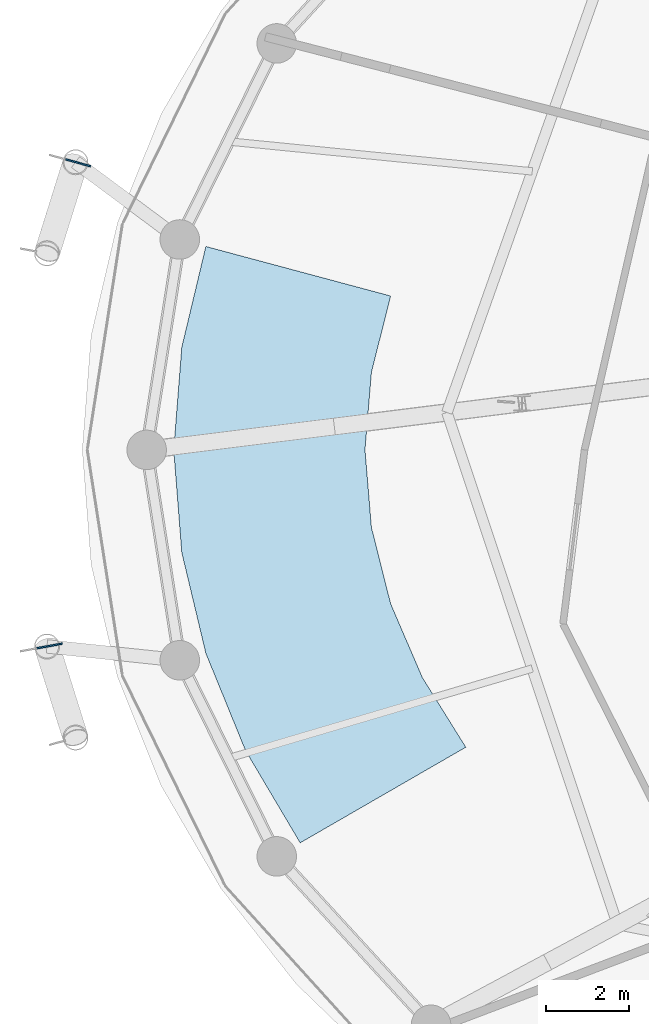
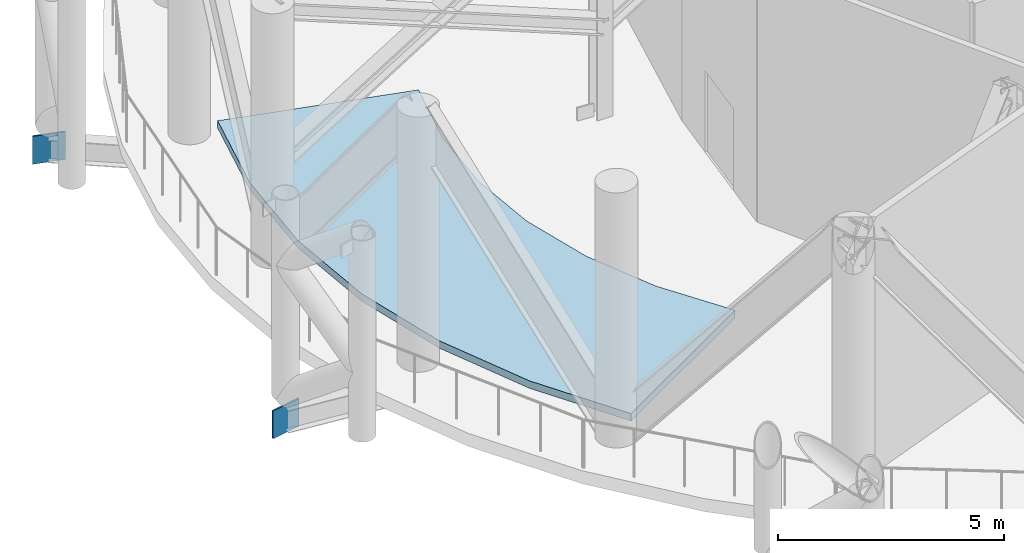
# One storey, part 5 of 18: 2 plates, 1 slab.
"""IFC4 building model written with IfcOpenShell, lengths in metres."""

import ifcopenshell
import ifcopenshell.guid

model = None  # the IFC model being written
_history = None  # IfcOwnerHistory: only IFC2X3 demands one
_inside = {}  # id of a spatial element -> (the spatial element, [elements in it])
_under = {}  # id of a project, library or spatial element -> (it, [spatial elements below it])
_declared = {}  # id of a project -> (the project, [libraries it declares])
_typed = {}  # id of a type object -> (the type object, [elements of that type])
_made_of = {}  # id of a material, layer set ... -> (it, [elements and type objects made of it])


def new_model(schema):
    """Start an empty IFC model of exactly this schema.

    Asked for "IFC4X3", IfcOpenShell would pick the latest addendum, in which some entities
    have other attributes; the version numbers below select the first issue.
    IFC2X3 requires an IfcOwnerHistory on every rooted entity: one is made here for all.
    """
    global model, _history
    if schema == "IFC4X3":
        model = ifcopenshell.file(schema_version=(4, 3, 0, 0))
    else:
        model = ifcopenshell.file(schema=schema)
    _inside.clear()
    _under.clear()
    _declared.clear()
    _typed.clear()
    _made_of.clear()
    _history = None
    if model.schema == "IFC2X3":
        org = make("IfcOrganization", Name="unknown")
        user = make(
            "IfcPersonAndOrganization",
            ThePerson=make("IfcPerson", FamilyName="unknown"),
            TheOrganization=org,
        )
        app = make(
            "IfcApplication",
            ApplicationDeveloper=org,
            Version="unknown",
            ApplicationFullName="unknown",
            ApplicationIdentifier="unknown",
        )
        _history = make(
            "IfcOwnerHistory",
            OwningUser=user,
            OwningApplication=app,
            ChangeAction="ADDED",
            CreationDate=0,
        )
    return model


def make(cls, **values):
    """One entity of the class cls with the attributes given. An attribute that is None is left unset."""
    return model.create_entity(
        cls, **{name: value for name, value in values.items() if value is not None}
    )


def rooted(cls, **values):
    """An entity with a GlobalId (a new one), such as an element, a storey or a relation."""
    return make(cls, GlobalId=ifcopenshell.guid.new(), OwnerHistory=_history, **values)


def si_unit(unit_type, name, prefix=None):
    """IfcSIUnit, for example si_unit("LENGTHUNIT", "METRE", prefix="MILLI")."""
    return make("IfcSIUnit", UnitType=unit_type, Prefix=prefix, Name=name)


def assignment(units):
    """IfcUnitAssignment: the units of a project."""
    return None if units is None else make("IfcUnitAssignment", Units=units)


def point(xyz):
    """IfcCartesianPoint."""
    return None if xyz is None else make("IfcCartesianPoint", Coordinates=xyz)


def direction(xyz):
    """IfcDirection."""
    return None if xyz is None else make("IfcDirection", DirectionRatios=xyz)


def frame(location, z_axis=None, x_axis=None):
    """IfcAxis2Placement3D, a coordinate frame: its origin and axes. An axis left out is left unset."""
    return make(
        "IfcAxis2Placement3D",
        Location=point(location),
        Axis=direction(z_axis),
        RefDirection=direction(x_axis),
    )


def frame_2d(location, x_axis=None):
    """IfcAxis2Placement2D, a coordinate frame in the plane: its origin and x axis."""
    return make(
        "IfcAxis2Placement2D", Location=point(location), RefDirection=direction(x_axis)
    )


def origin():
    """The frame at (0, 0, 0) with its axes left unset."""
    return frame((0.0, 0.0, 0.0))


def origin_2d():
    """The frame at (0, 0) in the plane with its x axis left unset."""
    return frame_2d((0.0, 0.0))


def place(relative_to, where):
    """IfcLocalPlacement: puts the frame where relative to a parent placement (None: the world)."""
    return make(
        "IfcLocalPlacement", PlacementRelTo=relative_to, RelativePlacement=where
    )


def context(
    kind, dimensions, precision=None, world=None, true_north=None, identifier=None
):
    """IfcGeometricRepresentationContext, for example the 3D "Model" context."""
    return make(
        "IfcGeometricRepresentationContext",
        ContextIdentifier=identifier,
        ContextType=kind,
        CoordinateSpaceDimension=dimensions,
        Precision=precision,
        WorldCoordinateSystem=world,
        TrueNorth=true_north,
    )


def subcontext(parent, identifier, kind, view, scale=None):
    """IfcGeometricRepresentationSubContext, for example "Body" below "Model"."""
    return make(
        "IfcGeometricRepresentationSubContext",
        ContextIdentifier=identifier,
        ContextType=kind,
        ParentContext=parent,
        TargetScale=scale,
        TargetView=view,
    )


def project(units=None, contexts=None):
    """IfcProject with its units and contexts."""
    return rooted(
        "IfcProject",
        Name="project",
        RepresentationContexts=contexts,
        UnitsInContext=assignment(units),
    )


def spatial(cls, under=None, at=None, **own):
    """A site, building, storey or space (cls), placed at a placement, below another one or the project."""
    s = rooted(cls, ObjectPlacement=at, **own)
    if under is not None:
        _under.setdefault(under.id(), (under, []))[1].append(s)
    return s


def polyline(points):
    """IfcPolyline through the points."""
    return make("IfcPolyline", Points=[point(p) for p in points])


def profile(cls, at=None, kind="AREA", **sizes):
    """A parametric profile (cls). Its sizes go by their IFC names, for example OverallWidth=200.0."""
    return make(cls, ProfileType=kind, Position=at, **sizes)


def rectangle(**sizes):
    """IfcRectangleProfileDef."""
    return profile("IfcRectangleProfileDef", **sizes)


def outline(outer, holes=None, kind="AREA"):
    """IfcArbitraryClosedProfileDef: a profile drawn as a closed curve; with holes, ...WithVoids."""
    if holes is None:
        return make("IfcArbitraryClosedProfileDef", ProfileType=kind, OuterCurve=outer)
    return make(
        "IfcArbitraryProfileDefWithVoids",
        ProfileType=kind,
        OuterCurve=outer,
        InnerCurves=holes,
    )


def extrude(swept, where, along, depth):
    """IfcExtrudedAreaSolid: the profile swept, set in the frame where, extruded along a direction by depth."""
    return make(
        "IfcExtrudedAreaSolid",
        SweptArea=swept,
        Position=where,
        ExtrudedDirection=direction(along),
        Depth=depth,
    )


def shape(context_of_items, identifier, shape_type, items):
    """IfcShapeRepresentation: the items that make up one representation, for example the "Body"."""
    return make(
        "IfcShapeRepresentation",
        ContextOfItems=context_of_items,
        RepresentationIdentifier=identifier,
        RepresentationType=shape_type,
        Items=items,
    )


def material(Name=None, Category=None):
    """IfcMaterial."""
    return make("IfcMaterial", Name=Name, Category=Category)


def layer(
    of_material, thickness, ventilated=None, Name=None, Category=None, Priority=None
):
    """IfcMaterialLayer: one layer of a wall or slab, of a material (None: an air gap)."""
    return make(
        "IfcMaterialLayer",
        Material=of_material,
        LayerThickness=thickness,
        IsVentilated=ventilated,
        Name=Name,
        Category=Category,
        Priority=Priority,
    )


def layer_set(layers, Name=None):
    """IfcMaterialLayerSet."""
    return make("IfcMaterialLayerSet", MaterialLayers=layers, LayerSetName=Name)


def made_of(thing, what):
    """Note that an element or type object is made of a material, layer set ...; save() writes the relation."""
    if what is not None:
        _made_of.setdefault(what.id(), (what, []))[1].append(thing)
    return thing


def type_object(cls, material=None, **own):
    """A type object (cls), such as IfcWallType, which elements share."""
    return made_of(rooted(cls, **own), material)


def element(
    cls,
    number,
    at=None,
    inside=None,
    cuts=None,
    type_object=None,
    material=None,
    context=None,
    identifier="Body",
    shape_type=None,
    held_by="IfcProductDefinitionShape",
    body=None,
    shapes=None,
    **own,
):
    """One element of the class cls, such as IfcWall. Its Tag is "e" and its number.

    at: its placement. inside: the storey or other place that contains it. cuts: it is an
    opening in that element (IfcRelVoidsElement). A single representation is given by context,
    identifier, shape_type and body (its items); several are given by shapes. held_by: the class
    of the entity that holds the representations. save() writes the other relations.
    """
    e = rooted(cls, Tag="e%d" % number, ObjectPlacement=at, **own)
    if body is not None:
        shapes = [shape(context, identifier, shape_type, body)]
    if shapes is not None:
        e.Representation = make(held_by, Representations=shapes)
    if inside is not None:
        _inside.setdefault(inside.id(), (inside, []))[1].append(e)
    if cuts is not None:
        rooted(
            "IfcRelVoidsElement", RelatingBuildingElement=cuts, RelatedOpeningElement=e
        )
    if type_object is not None:
        _typed.setdefault(type_object.id(), (type_object, []))[1].append(e)
    return made_of(e, material)


def aggregate(whole, parts):
    """IfcRelAggregates: a whole, such as a stair, and the parts it consists of."""
    return rooted("IfcRelAggregates", RelatingObject=whole, RelatedObjects=parts)


def save(model, path):
    """Write the relations noted so far, then the file.

    IfcRelAggregates (storeys below a building ...), IfcRelContainedInSpatialStructure (elements
    in a storey), IfcRelDefinesByType, IfcRelAssociatesMaterial and IfcRelDeclares: one each for
    every whole, place, type object, material and project.
    """
    for whole, parts in _under.values():
        aggregate(whole, parts)
    for where, things in _inside.values():
        rooted(
            "IfcRelContainedInSpatialStructure",
            RelatedElements=things,
            RelatingStructure=where,
        )
    for kind, things in _typed.values():
        rooted("IfcRelDefinesByType", RelatedObjects=things, RelatingType=kind)
    for what, things in _made_of.values():
        rooted("IfcRelAssociatesMaterial", RelatedObjects=things, RelatingMaterial=what)
    for by, libraries in _declared.values():
        rooted("IfcRelDeclares", RelatingContext=by, RelatedDefinitions=libraries)
    model.write(path)


model = new_model("IFC4")

# Units and contexts
model_context = context("Model", 3, precision=1e-05, world=origin(), true_north=direction((0.0, 1.0)))
body_context = subcontext(model_context, "Body", "Model", "MODEL_VIEW")
ifc_project = project(units=[si_unit("LENGTHUNIT", "METRE"), si_unit("AREAUNIT", "SQUARE_METRE"), si_unit("VOLUMEUNIT", "CUBIC_METRE"), si_unit("PLANEANGLEUNIT", "RADIAN"), si_unit("MASSUNIT", "GRAM", prefix="KILO")], contexts=[model_context])

# Site, building, storey
site_placement = place(None, origin())
site = spatial("IfcSite", under=ifc_project, at=site_placement, CompositionType="ELEMENT")
building_placement = place(site_placement, origin())
building = spatial("IfcBuilding", under=site, at=building_placement, Name="Nuhasar Tower", CompositionType="ELEMENT")
storey_placement = place(building_placement, frame((0.0, 0.0, 195.949951171875)))
storey = spatial("IfcBuildingStorey", under=building, at=storey_placement, Name="L48", CompositionType="ELEMENT", Elevation=195.949951171875)

# Plates
ifc_material_1 = material(Name="Steel S460", Category="steel")
ifc_layer_1 = layer(ifc_material_1, 0.0400390625)
ifc_layer_set_1 = layer_set([ifc_layer_1], Name="Steel S460")
plate_type = type_object("IfcPlateType", Name="PLT-GUSSET-40", PredefinedType="SHEET", material=ifc_layer_set_1)
for number, where, z_axis, x_axis, name in (
    (1, (13.93994140625, 33.720947265625, -1.031005859375), (0.0, 0.0, 1.0), (-0.963914422589, 0.266212294842, 0.0), "L48 Bronze Diagrid Gusset Node Plate 06"),
    (2, (13.251953125, 22.073974609375, -1.031005859375), (0.0, 0.0, 1.0), (-0.98356832001, -0.180536311784, 0.0), "L48 Bronze Diagrid Gusset Node Plate 07"),
):
    element("IfcPlate", number, at=place(storey_placement, frame(where, z_axis=z_axis, x_axis=x_axis)), inside=storey, type_object=plate_type, Name=name, PredefinedType="SHEET", context=body_context, shape_type="SweptSolid", body=[
        extrude(rectangle(XDim=0.75, YDim=0.0400390625, at=origin_2d()), origin(), (0.0, 0.0, 1.0), 0.75),
    ])

# Slab
ifc_material_2 = material(Name="Concrete C50/60", Category="concrete")
ifc_layer_2 = layer(ifc_material_2, 0.199951171875)
ifc_layer_set_2 = layer_set([ifc_layer_2], Name="Concrete C50/60")
slab_type = type_object("IfcSlabType", Name="SLB-PLN-200", PredefinedType="BASESLAB", material=ifc_layer_set_2)
slab_placement = place(storey_placement, origin())
element("IfcSlab", 3, at=slab_placement, inside=storey, type_object=slab_type, Name="L48 Mechanical Plant Plinth Slab West", PredefinedType="BASESLAB", context=body_context, shape_type="SweptSolid", body=[
    extrude(outline(polyline([(17.072998046875, 31.69189453125), (16.493896484375, 29.26708984375), (16.300048828125, 26.800048828125), (16.493896484375, 24.3330078125), (17.072998046875, 21.907958984375), (18.028076171875, 19.56689453125), (19.341064453125, 17.35009765625), (23.324951171875, 19.64990234375), (22.278076171875, 21.327880859375), (21.51708984375, 23.09912109375), (21.054931640625, 24.93310546875), (20.89990234375, 26.800048828125), (21.054931640625, 28.6669921875), (21.51708984375, 30.5009765625), (17.072998046875, 31.69189453125)])), origin(), (0.0, 0.0, 1.0), 0.199951171875),
])

save(model, "model.ifc")
